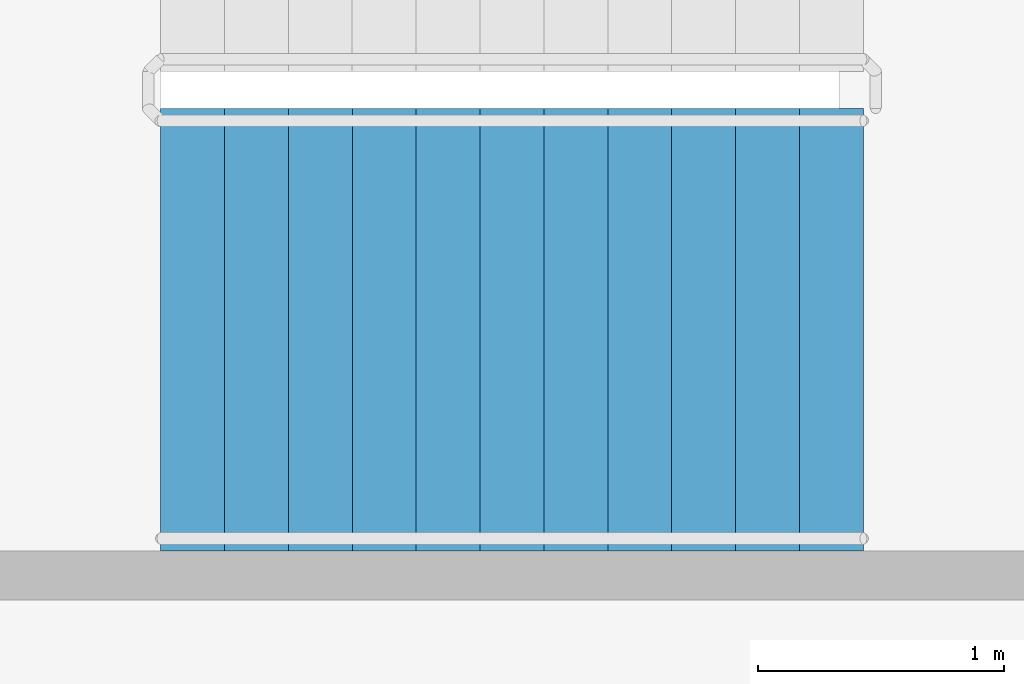
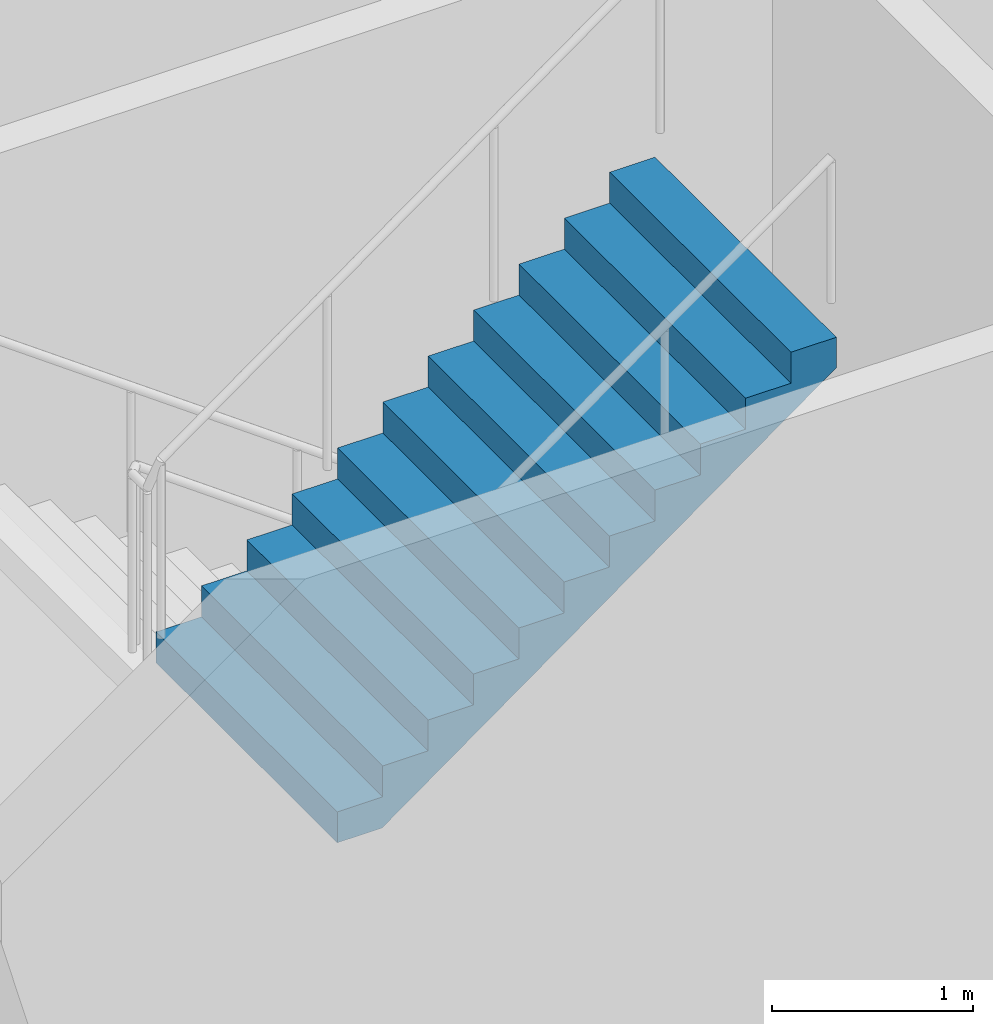
# One storey, part 31 of 49: 1 stair flight, 1 element without a shape of its own.
"""IFC4 building model written with IfcOpenShell, lengths in metres."""

from ifc_helpers import new_model, si_unit, direction, frame, origin, place, context, subcontext, project, spatial, faceted_brep, material, type_object, element, aggregate, save


model = new_model("IFC4")

# Units and contexts
model_context = context("Model", 3, precision=1e-05, world=origin(), true_north=direction((0.0, 1.0)))
body_context = subcontext(model_context, "Body", "Model", "MODEL_VIEW")
ifc_project = project(units=[si_unit("LENGTHUNIT", "METRE"), si_unit("AREAUNIT", "SQUARE_METRE"), si_unit("VOLUMEUNIT", "CUBIC_METRE"), si_unit("PLANEANGLEUNIT", "RADIAN"), si_unit("MASSUNIT", "GRAM", prefix="KILO")], contexts=[model_context])

# Site, building, storey
site_placement = place(None, origin())
site = spatial("IfcSite", under=ifc_project, at=site_placement, CompositionType="ELEMENT")
building_placement = place(site_placement, origin())
building = spatial("IfcBuilding", under=site, at=building_placement, Name="Ipe Terrace Towers", CompositionType="ELEMENT")
storey_placement = place(building_placement, frame((0.0, 0.0, 20.0)))
storey = spatial("IfcBuildingStorey", under=building, at=storey_placement, Name="L04", CompositionType="ELEMENT", Elevation=20.0)

# Stair, stair flight
ifc_material_1 = material(Name="Concrete C30/37", Category="concrete")
stair_type = type_object("IfcStairType", Name="Protected exit stair", PredefinedType="HALF_TURN_STAIR", material=ifc_material_1)
stair_placement = place(storey_placement, origin())
stair = element("IfcStair", 1, at=stair_placement, inside=storey, type_object=stair_type, Name="L04 Podium exit stair PS1", PredefinedType="HALF_TURN_STAIR")
ifc_material_2 = material(Name="Concrete C30/37", Category="concrete")
stair_flight_type = type_object("IfcStairFlightType", Name="Exit stair flight 1800", PredefinedType="STRAIGHT", material=ifc_material_2)
stair_flight_placement = place(storey_placement, frame((-57.1298828125, 23.550048828125, 2.25), z_axis=(0.0, 0.0, 1.0), x_axis=(1.0, 0.0, 0.0)))
stair_flight = element("IfcStairFlight", 2, at=stair_flight_placement, type_object=stair_flight_type, Name="PS1 flight 2", NumberOfRisers=12, NumberOfTreads=11, PredefinedType="STRAIGHT", RiserHeight=0.1875, TreadLength=0.26, context=body_context, shape_type="Brep", body=[
    faceted_brep([(0.25634765625, -0.89990234375, 0.0), (2.860107421875, -0.89990234375, 1.877685546875), (2.860107421875, -0.89990234375, 2.0625), (2.60009765625, -0.89990234375, 2.0625), (2.60009765625, -0.89990234375, 1.875), (2.340087890625, -0.89990234375, 1.875), (2.340087890625, -0.89990234375, 1.6875), (2.080078125, -0.89990234375, 1.6875), (2.080078125, -0.89990234375, 1.5), (1.820068359375, -0.89990234375, 1.5), (1.820068359375, -0.89990234375, 1.3125), (1.56005859375, -0.89990234375, 1.3125), (1.56005859375, -0.89990234375, 1.125), (1.300048828125, -0.89990234375, 1.125), (1.300048828125, -0.89990234375, 0.9375), (1.0400390625, -0.89990234375, 0.9375), (1.0400390625, -0.89990234375, 0.75), (0.780029296875, -0.89990234375, 0.75), (0.780029296875, -0.89990234375, 0.5625), (0.52001953125, -0.89990234375, 0.5625), (0.52001953125, -0.89990234375, 0.375), (0.260009765625, -0.89990234375, 0.375), (0.260009765625, -0.89990234375, 0.1875), (0.0, -0.89990234375, 0.1875), (0.0, -0.89990234375, 0.0), (0.0, 0.89990234375, 0.0), (0.0, 0.89990234375, 0.1875), (0.260009765625, 0.89990234375, 0.1875), (0.260009765625, 0.89990234375, 0.375), (0.52001953125, 0.89990234375, 0.375), (0.52001953125, 0.89990234375, 0.5625), (0.780029296875, 0.89990234375, 0.5625), (0.780029296875, 0.89990234375, 0.75), (1.0400390625, 0.89990234375, 0.75), (1.0400390625, 0.89990234375, 0.9375), (1.300048828125, 0.89990234375, 0.9375), (1.300048828125, 0.89990234375, 1.125), (1.56005859375, 0.89990234375, 1.125), (1.56005859375, 0.89990234375, 1.3125), (1.820068359375, 0.89990234375, 1.3125), (1.820068359375, 0.89990234375, 1.5), (2.080078125, 0.89990234375, 1.5), (2.080078125, 0.89990234375, 1.6875), (2.340087890625, 0.89990234375, 1.6875), (2.340087890625, 0.89990234375, 1.875), (2.60009765625, 0.89990234375, 1.875), (2.60009765625, 0.89990234375, 2.0625), (2.860107421875, 0.89990234375, 2.0625), (2.860107421875, 0.89990234375, 1.877685546875), (0.25634765625, 0.89990234375, 0.0), (0.0, -0.300048828125, 0.1875), (0.0, -0.1201171875, 0.1875), (0.0, -0.06005859375, 0.1875), (0.0, -0.030029296875, 0.1875), (0.0, -0.010009765625, 0.1875), (0.0, 0.0, 0.1875), (0.0, 0.010009765625, 0.1875), (0.0, 0.030029296875, 0.1875), (0.0, 0.06005859375, 0.1875), (0.0, 0.1201171875, 0.1875), (0.0, 0.300048828125, 0.1875), (0.0, 0.300048828125, 0.0), (0.0, 0.1201171875, 0.0), (0.0, 0.06005859375, 0.0), (0.0, 0.030029296875, 0.0), (0.0, 0.010009765625, 0.0), (0.0, 0.0, 0.0), (0.0, -0.010009765625, 0.0), (0.0, -0.030029296875, 0.0), (0.0, -0.06005859375, 0.0), (0.0, -0.1201171875, 0.0), (0.0, -0.300048828125, 0.0), (0.260009765625, -0.300048828125, 0.1875), (0.260009765625, -0.1201171875, 0.1875), (0.260009765625, -0.06005859375, 0.1875), (0.260009765625, -0.030029296875, 0.1875), (0.260009765625, -0.010009765625, 0.1875), (0.260009765625, 0.0, 0.1875), (0.260009765625, 0.010009765625, 0.1875), (0.260009765625, 0.030029296875, 0.1875), (0.260009765625, 0.06005859375, 0.1875), (0.260009765625, 0.1201171875, 0.1875), (0.260009765625, 0.300048828125, 0.1875), (0.260009765625, -0.300048828125, 0.375), (0.260009765625, -0.1201171875, 0.375), (0.260009765625, -0.06005859375, 0.375), (0.260009765625, -0.030029296875, 0.375), (0.260009765625, -0.010009765625, 0.375), (0.260009765625, 0.0, 0.375), (0.260009765625, 0.010009765625, 0.375), (0.260009765625, 0.030029296875, 0.375), (0.260009765625, 0.06005859375, 0.375), (0.260009765625, 0.1201171875, 0.375), (0.260009765625, 0.300048828125, 0.375), (0.52001953125, -0.300048828125, 0.375), (0.52001953125, -0.1201171875, 0.375), (0.52001953125, -0.06005859375, 0.375), (0.52001953125, -0.030029296875, 0.375), (0.52001953125, -0.010009765625, 0.375), (0.52001953125, 0.0, 0.375), (0.52001953125, 0.010009765625, 0.375), (0.52001953125, 0.030029296875, 0.375), (0.52001953125, 0.06005859375, 0.375), (0.52001953125, 0.1201171875, 0.375), (0.52001953125, 0.300048828125, 0.375), (0.52001953125, -0.300048828125, 0.5625), (0.52001953125, -0.1201171875, 0.5625), (0.52001953125, -0.06005859375, 0.5625), (0.52001953125, -0.030029296875, 0.5625), (0.52001953125, -0.010009765625, 0.5625), (0.52001953125, 0.0, 0.5625), (0.52001953125, 0.010009765625, 0.5625), (0.52001953125, 0.030029296875, 0.5625), (0.52001953125, 0.06005859375, 0.5625), (0.52001953125, 0.1201171875, 0.5625), (0.52001953125, 0.300048828125, 0.5625), (0.780029296875, -0.300048828125, 0.5625), (0.780029296875, -0.1201171875, 0.5625), (0.780029296875, -0.06005859375, 0.5625), (0.780029296875, -0.030029296875, 0.5625), (0.780029296875, -0.010009765625, 0.5625), (0.780029296875, 0.0, 0.5625), (0.780029296875, 0.010009765625, 0.5625), (0.780029296875, 0.030029296875, 0.5625), (0.780029296875, 0.06005859375, 0.5625), (0.780029296875, 0.1201171875, 0.5625), (0.780029296875, 0.300048828125, 0.5625), (0.780029296875, -0.300048828125, 0.75), (0.780029296875, -0.1201171875, 0.75), (0.780029296875, -0.06005859375, 0.75), (0.780029296875, -0.030029296875, 0.75), (0.780029296875, -0.010009765625, 0.75), (0.780029296875, 0.0, 0.75), (0.780029296875, 0.010009765625, 0.75), (0.780029296875, 0.030029296875, 0.75), (0.780029296875, 0.06005859375, 0.75), (0.780029296875, 0.1201171875, 0.75), (0.780029296875, 0.300048828125, 0.75), (1.0400390625, -0.300048828125, 0.75), (1.0400390625, -0.1201171875, 0.75), (1.0400390625, -0.06005859375, 0.75), (1.0400390625, -0.030029296875, 0.75), (1.0400390625, -0.010009765625, 0.75), (1.0400390625, 0.0, 0.75), (1.0400390625, 0.010009765625, 0.75), (1.0400390625, 0.030029296875, 0.75), (1.0400390625, 0.06005859375, 0.75), (1.0400390625, 0.1201171875, 0.75), (1.0400390625, 0.300048828125, 0.75), (1.0400390625, -0.300048828125, 0.9375), (1.0400390625, -0.1201171875, 0.9375), (1.0400390625, -0.06005859375, 0.9375), (1.0400390625, -0.030029296875, 0.9375), (1.0400390625, -0.010009765625, 0.9375), (1.0400390625, 0.0, 0.9375), (1.0400390625, 0.010009765625, 0.9375), (1.0400390625, 0.030029296875, 0.9375), (1.0400390625, 0.06005859375, 0.9375), (1.0400390625, 0.1201171875, 0.9375), (1.0400390625, 0.300048828125, 0.9375), (1.300048828125, -0.300048828125, 0.9375), (1.300048828125, -0.1201171875, 0.9375), (1.300048828125, -0.06005859375, 0.9375), (1.300048828125, -0.030029296875, 0.9375), (1.300048828125, -0.010009765625, 0.9375), (1.300048828125, 0.0, 0.9375), (1.300048828125, 0.010009765625, 0.9375), (1.300048828125, 0.030029296875, 0.9375), (1.300048828125, 0.06005859375, 0.9375), (1.300048828125, 0.1201171875, 0.9375), (1.300048828125, 0.300048828125, 0.9375), (1.300048828125, -0.300048828125, 1.125), (1.300048828125, -0.1201171875, 1.125), (1.300048828125, -0.06005859375, 1.125), (1.300048828125, -0.030029296875, 1.125), (1.300048828125, -0.010009765625, 1.125), (1.300048828125, 0.0, 1.125), (1.300048828125, 0.010009765625, 1.125), (1.300048828125, 0.030029296875, 1.125), (1.300048828125, 0.06005859375, 1.125), (1.300048828125, 0.1201171875, 1.125), (1.300048828125, 0.300048828125, 1.125), (1.56005859375, -0.300048828125, 1.125), (1.56005859375, -0.1201171875, 1.125), (1.56005859375, -0.06005859375, 1.125), (1.56005859375, -0.030029296875, 1.125), (1.56005859375, -0.010009765625, 1.125), (1.56005859375, 0.0, 1.125), (1.56005859375, 0.010009765625, 1.125), (1.56005859375, 0.030029296875, 1.125), (1.56005859375, 0.06005859375, 1.125), (1.56005859375, 0.1201171875, 1.125), (1.56005859375, 0.300048828125, 1.125), (1.56005859375, -0.300048828125, 1.3125), (1.56005859375, -0.1201171875, 1.3125), (1.56005859375, -0.06005859375, 1.3125), (1.56005859375, -0.030029296875, 1.3125), (1.56005859375, -0.010009765625, 1.3125), (1.56005859375, 0.0, 1.3125), (1.56005859375, 0.010009765625, 1.3125), (1.56005859375, 0.030029296875, 1.3125), (1.56005859375, 0.06005859375, 1.3125), (1.56005859375, 0.1201171875, 1.3125), (1.56005859375, 0.300048828125, 1.3125), (1.820068359375, -0.300048828125, 1.3125), (1.820068359375, -0.1201171875, 1.3125), (1.820068359375, -0.06005859375, 1.3125), (1.820068359375, -0.030029296875, 1.3125), (1.820068359375, -0.010009765625, 1.3125), (1.820068359375, 0.0, 1.3125), (1.820068359375, 0.010009765625, 1.3125), (1.820068359375, 0.030029296875, 1.3125), (1.820068359375, 0.06005859375, 1.3125), (1.820068359375, 0.1201171875, 1.3125), (1.820068359375, 0.300048828125, 1.3125), (1.820068359375, -0.300048828125, 1.5), (1.820068359375, -0.1201171875, 1.5), (1.820068359375, -0.06005859375, 1.5), (1.820068359375, -0.030029296875, 1.5), (1.820068359375, -0.010009765625, 1.5), (1.820068359375, 0.0, 1.5), (1.820068359375, 0.010009765625, 1.5), (1.820068359375, 0.030029296875, 1.5), (1.820068359375, 0.06005859375, 1.5), (1.820068359375, 0.1201171875, 1.5), (1.820068359375, 0.300048828125, 1.5), (2.080078125, -0.300048828125, 1.5), (2.080078125, -0.1201171875, 1.5), (2.080078125, -0.06005859375, 1.5), (2.080078125, -0.030029296875, 1.5), (2.080078125, -0.010009765625, 1.5), (2.080078125, 0.0, 1.5), (2.080078125, 0.010009765625, 1.5), (2.080078125, 0.030029296875, 1.5), (2.080078125, 0.06005859375, 1.5), (2.080078125, 0.1201171875, 1.5), (2.080078125, 0.300048828125, 1.5), (2.080078125, -0.300048828125, 1.6875), (2.080078125, -0.1201171875, 1.6875), (2.080078125, -0.06005859375, 1.6875), (2.080078125, -0.030029296875, 1.6875), (2.080078125, -0.010009765625, 1.6875), (2.080078125, 0.0, 1.6875), (2.080078125, 0.010009765625, 1.6875), (2.080078125, 0.030029296875, 1.6875), (2.080078125, 0.06005859375, 1.6875), (2.080078125, 0.1201171875, 1.6875), (2.080078125, 0.300048828125, 1.6875), (2.340087890625, -0.300048828125, 1.6875), (2.340087890625, -0.1201171875, 1.6875), (2.340087890625, -0.06005859375, 1.6875), (2.340087890625, -0.030029296875, 1.6875), (2.340087890625, -0.010009765625, 1.6875), (2.340087890625, 0.0, 1.6875), (2.340087890625, 0.010009765625, 1.6875), (2.340087890625, 0.030029296875, 1.6875), (2.340087890625, 0.06005859375, 1.6875), (2.340087890625, 0.1201171875, 1.6875), (2.340087890625, 0.300048828125, 1.6875), (2.340087890625, -0.300048828125, 1.875), (2.340087890625, -0.1201171875, 1.875), (2.340087890625, -0.06005859375, 1.875), (2.340087890625, -0.030029296875, 1.875), (2.340087890625, -0.010009765625, 1.875), (2.340087890625, 0.0, 1.875), (2.340087890625, 0.010009765625, 1.875), (2.340087890625, 0.030029296875, 1.875), (2.340087890625, 0.06005859375, 1.875), (2.340087890625, 0.1201171875, 1.875), (2.340087890625, 0.300048828125, 1.875), (2.60009765625, -0.300048828125, 1.875), (2.60009765625, -0.1201171875, 1.875), (2.60009765625, -0.06005859375, 1.875), (2.60009765625, -0.030029296875, 1.875), (2.60009765625, -0.010009765625, 1.875), (2.60009765625, 0.0, 1.875), (2.60009765625, 0.010009765625, 1.875), (2.60009765625, 0.030029296875, 1.875), (2.60009765625, 0.06005859375, 1.875), (2.60009765625, 0.1201171875, 1.875), (2.60009765625, 0.300048828125, 1.875), (2.60009765625, -0.300048828125, 2.0625), (2.60009765625, -0.1201171875, 2.0625), (2.60009765625, -0.06005859375, 2.0625), (2.60009765625, -0.030029296875, 2.0625), (2.60009765625, -0.010009765625, 2.0625), (2.60009765625, 0.0, 2.0625), (2.60009765625, 0.010009765625, 2.0625), (2.60009765625, 0.030029296875, 2.0625), (2.60009765625, 0.06005859375, 2.0625), (2.60009765625, 0.1201171875, 2.0625), (2.60009765625, 0.300048828125, 2.0625), (2.860107421875, -0.300048828125, 2.0625), (2.860107421875, -0.1201171875, 2.0625), (2.860107421875, -0.06005859375, 2.0625), (2.860107421875, -0.030029296875, 2.0625), (2.860107421875, -0.010009765625, 2.0625), (2.860107421875, 0.0, 2.0625), (2.860107421875, 0.010009765625, 2.0625), (2.860107421875, 0.030029296875, 2.0625), (2.860107421875, 0.06005859375, 2.0625), (2.860107421875, 0.1201171875, 2.0625), (2.860107421875, 0.300048828125, 2.0625), (2.860107421875, -0.300048828125, 1.877685546875), (2.860107421875, -0.1201171875, 1.877685546875), (2.860107421875, -0.06005859375, 1.877685546875), (2.860107421875, -0.030029296875, 1.877685546875), (2.860107421875, -0.010009765625, 1.877685546875), (2.860107421875, 0.0, 1.877685546875), (2.860107421875, 0.010009765625, 1.877685546875), (2.860107421875, 0.030029296875, 1.877685546875), (2.860107421875, 0.06005859375, 1.877685546875), (2.860107421875, 0.1201171875, 1.877685546875), (2.860107421875, 0.300048828125, 1.877685546875), (0.25634765625, -0.300048828125, 0.0), (0.25634765625, -0.1201171875, 0.0), (0.25634765625, -0.06005859375, 0.0), (0.25634765625, -0.030029296875, 0.0), (0.25634765625, -0.010009765625, 0.0), (0.25634765625, 0.0, 0.0), (0.25634765625, 0.010009765625, 0.0), (0.25634765625, 0.030029296875, 0.0), (0.25634765625, 0.06005859375, 0.0), (0.25634765625, 0.1201171875, 0.0), (0.25634765625, 0.300048828125, 0.0)], [[[0, 1, 2, 3, 4, 5, 6, 7, 8, 9, 10, 11, 12, 13, 14, 15, 16, 17, 18, 19, 20, 21, 22, 23, 24]], [[25, 26, 27, 28, 29, 30, 31, 32, 33, 34, 35, 36, 37, 38, 39, 40, 41, 42, 43, 44, 45, 46, 47, 48, 49]], [[23, 50, 51, 52, 53, 54, 55, 56, 57, 58, 59, 60, 26, 25, 61, 62, 63, 64, 65, 66, 67, 68, 69, 70, 71, 24]], [[22, 72, 73, 74, 75, 76, 77, 78, 79, 80, 81, 82, 27, 26, 60, 59, 58, 57, 56, 55, 54, 53, 52, 51, 50, 23]], [[21, 83, 84, 85, 86, 87, 88, 89, 90, 91, 92, 93, 28, 27, 82, 81, 80, 79, 78, 77, 76, 75, 74, 73, 72, 22]], [[20, 94, 95, 96, 97, 98, 99, 100, 101, 102, 103, 104, 29, 28, 93, 92, 91, 90, 89, 88, 87, 86, 85, 84, 83, 21]], [[19, 105, 106, 107, 108, 109, 110, 111, 112, 113, 114, 115, 30, 29, 104, 103, 102, 101, 100, 99, 98, 97, 96, 95, 94, 20]], [[18, 116, 117, 118, 119, 120, 121, 122, 123, 124, 125, 126, 31, 30, 115, 114, 113, 112, 111, 110, 109, 108, 107, 106, 105, 19]], [[17, 127, 128, 129, 130, 131, 132, 133, 134, 135, 136, 137, 32, 31, 126, 125, 124, 123, 122, 121, 120, 119, 118, 117, 116, 18]], [[16, 138, 139, 140, 141, 142, 143, 144, 145, 146, 147, 148, 33, 32, 137, 136, 135, 134, 133, 132, 131, 130, 129, 128, 127, 17]], [[15, 149, 150, 151, 152, 153, 154, 155, 156, 157, 158, 159, 34, 33, 148, 147, 146, 145, 144, 143, 142, 141, 140, 139, 138, 16]], [[14, 160, 161, 162, 163, 164, 165, 166, 167, 168, 169, 170, 35, 34, 159, 158, 157, 156, 155, 154, 153, 152, 151, 150, 149, 15]], [[13, 171, 172, 173, 174, 175, 176, 177, 178, 179, 180, 181, 36, 35, 170, 169, 168, 167, 166, 165, 164, 163, 162, 161, 160, 14]], [[12, 182, 183, 184, 185, 186, 187, 188, 189, 190, 191, 192, 37, 36, 181, 180, 179, 178, 177, 176, 175, 174, 173, 172, 171, 13]], [[11, 193, 194, 195, 196, 197, 198, 199, 200, 201, 202, 203, 38, 37, 192, 191, 190, 189, 188, 187, 186, 185, 184, 183, 182, 12]], [[10, 204, 205, 206, 207, 208, 209, 210, 211, 212, 213, 214, 39, 38, 203, 202, 201, 200, 199, 198, 197, 196, 195, 194, 193, 11]], [[9, 215, 216, 217, 218, 219, 220, 221, 222, 223, 224, 225, 40, 39, 214, 213, 212, 211, 210, 209, 208, 207, 206, 205, 204, 10]], [[8, 226, 227, 228, 229, 230, 231, 232, 233, 234, 235, 236, 41, 40, 225, 224, 223, 222, 221, 220, 219, 218, 217, 216, 215, 9]], [[7, 237, 238, 239, 240, 241, 242, 243, 244, 245, 246, 247, 42, 41, 236, 235, 234, 233, 232, 231, 230, 229, 228, 227, 226, 8]], [[6, 248, 249, 250, 251, 252, 253, 254, 255, 256, 257, 258, 43, 42, 247, 246, 245, 244, 243, 242, 241, 240, 239, 238, 237, 7]], [[5, 259, 260, 261, 262, 263, 264, 265, 266, 267, 268, 269, 44, 43, 258, 257, 256, 255, 254, 253, 252, 251, 250, 249, 248, 6]], [[4, 270, 271, 272, 273, 274, 275, 276, 277, 278, 279, 280, 45, 44, 269, 268, 267, 266, 265, 264, 263, 262, 261, 260, 259, 5]], [[3, 281, 282, 283, 284, 285, 286, 287, 288, 289, 290, 291, 46, 45, 280, 279, 278, 277, 276, 275, 274, 273, 272, 271, 270, 4]], [[2, 292, 293, 294, 295, 296, 297, 298, 299, 300, 301, 302, 47, 46, 291, 290, 289, 288, 287, 286, 285, 284, 283, 282, 281, 3]], [[1, 303, 304, 305, 306, 307, 308, 309, 310, 311, 312, 313, 48, 47, 302, 301, 300, 299, 298, 297, 296, 295, 294, 293, 292, 2]], [[0, 314, 315, 316, 317, 318, 319, 320, 321, 322, 323, 324, 49, 48, 313, 312, 311, 310, 309, 308, 307, 306, 305, 304, 303, 1]], [[24, 71, 70, 69, 68, 67, 66, 65, 64, 63, 62, 61, 25, 49, 324, 323, 322, 321, 320, 319, 318, 317, 316, 315, 314, 0]]]),
])
aggregate(stair, [stair_flight])

save(model, "model.ifc")
